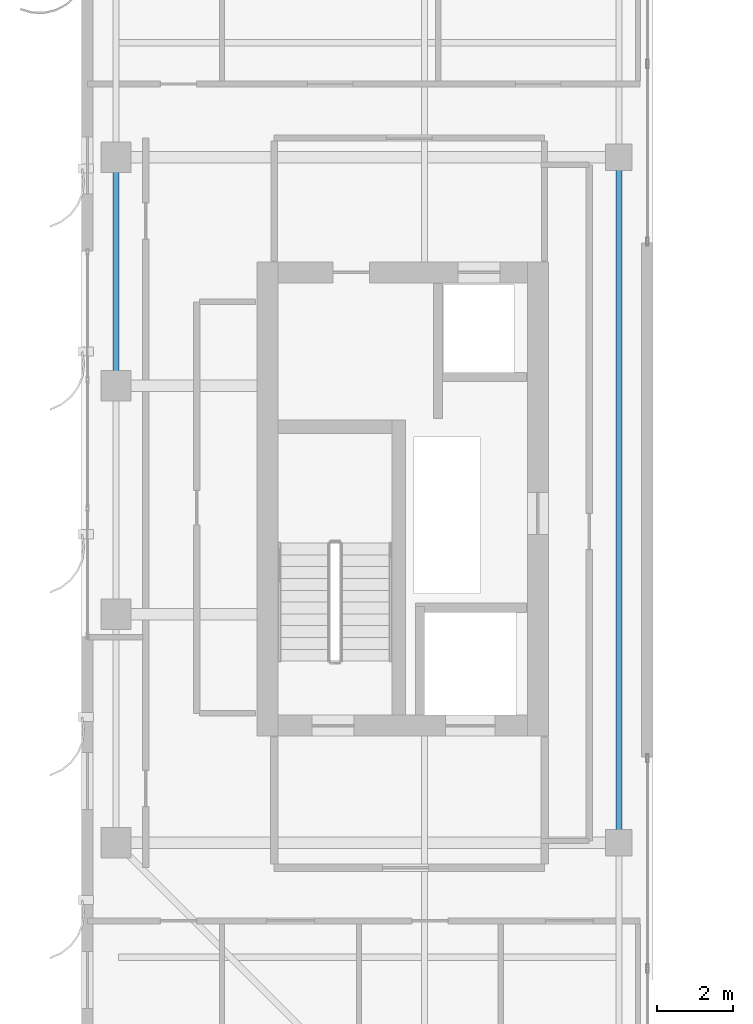
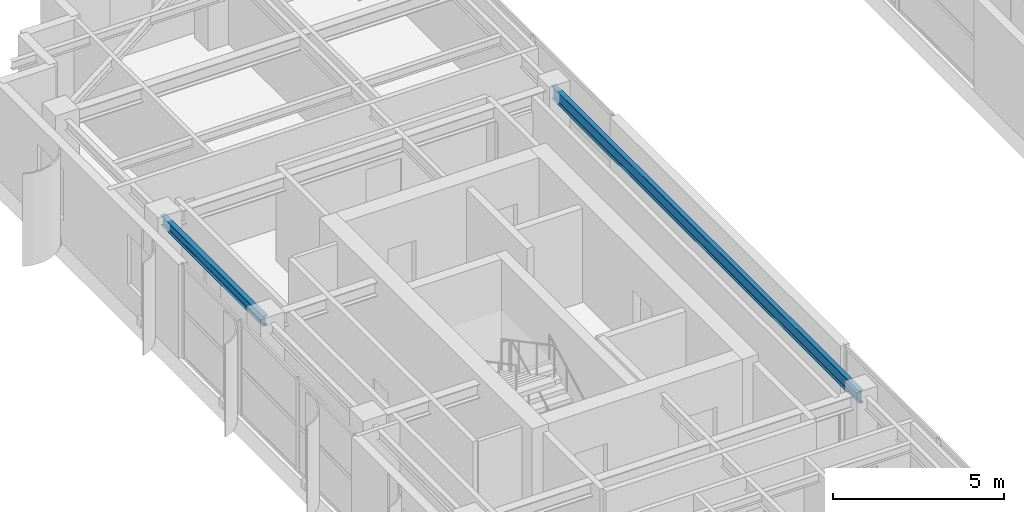
# One storey, part 7 of 24: 2 beams.
"""IFC4 building model written with IfcOpenShell, lengths in metres."""

from ifc_helpers import new_model, si_unit, direction, frame, origin, origin_2d, place, context, subcontext, project, spatial, i_section, extrude, source, transform, mapped, material, material_profile, profile_set, type_object, element, save


model = new_model("IFC4")

# Units and contexts
model_context = context("Model", 3, precision=1e-05, world=origin(), true_north=direction((0.0, 1.0)))
body_context = subcontext(model_context, "Body", "Model", "MODEL_VIEW")
ifc_project = project(units=[si_unit("LENGTHUNIT", "METRE"), si_unit("AREAUNIT", "SQUARE_METRE"), si_unit("VOLUMEUNIT", "CUBIC_METRE"), si_unit("PLANEANGLEUNIT", "RADIAN"), si_unit("MASSUNIT", "GRAM", prefix="KILO")], contexts=[model_context])

# Site, building, storey
site_placement = place(None, origin())
site = spatial("IfcSite", under=ifc_project, at=site_placement, CompositionType="ELEMENT")
building_placement = place(site_placement, origin())
building = spatial("IfcBuilding", under=site, at=building_placement, Name="Khoralis Quay Care Tower", CompositionType="ELEMENT")
storey_placement = place(building_placement, frame((0.0, 0.0, 227.699951171875)))
storey = spatial("IfcBuildingStorey", under=building, at=storey_placement, Name="L59", CompositionType="ELEMENT", Elevation=227.699951171875)

# Beams
ifc_material = material(Name="Steel S355", Category="steel")
ifc_material_profile_1 = material_profile(ifc_material, i_section(OverallWidth=0.169921875, OverallDepth=0.360107421875, WebThickness=0.008056640625, FlangeThickness=0.0126953125, FilletRadius=0.01806640625, at=origin_2d()), Name="Steel S355")
ifc_profile_set_1 = profile_set([ifc_material_profile_1], Name="Steel S355")
beam_type_1 = type_object("IfcBeamType", Name="BM-IPE360", PredefinedType="SPANDREL", material=ifc_profile_set_1)
shared_shape_1 = source(origin(), body_context, "Body", "SweptSolid", [
    extrude(i_section(OverallWidth=0.169921875, OverallDepth=0.360107421875, WebThickness=0.008056640625, FlangeThickness=0.0126953125, FilletRadius=0.01806640625, at=origin_2d()), origin(), (0.0, 0.0, 1.0), 6.0),
])
beam_1_placement = place(storey_placement, frame((3.89990234375, 24.0, 3.179931640625), z_axis=(0.0, 1.0, 0.0), x_axis=(-1.0, 0.0, 0.0)))
element("IfcBeam", 1, at=beam_1_placement, inside=storey, type_object=beam_type_1, Name="BM-TSP-L59-07", PredefinedType="SPANDREL", context=body_context, shape_type="MappedRepresentation", body=[
    mapped(shared_shape_1, transform((0.0, 0.0, 0.0), scale=1.0)),
])
ifc_material_profile_2 = material_profile(ifc_material, i_section(OverallWidth=0.154052734375, OverallDepth=0.458984375, WebThickness=0.009033203125, FlangeThickness=0.015380859375, FilletRadius=0.014892578125, at=origin_2d()), Name="Steel S355")
ifc_profile_set_2 = profile_set([ifc_material_profile_2], Name="Steel S355")
beam_type_2 = type_object("IfcBeamType", Name="BM-W460X68", PredefinedType="BEAM", material=ifc_profile_set_2)
shared_shape_2 = source(origin(), body_context, "Body", "SweptSolid", [
    extrude(i_section(OverallWidth=0.154052734375, OverallDepth=0.458984375, WebThickness=0.009033203125, FlangeThickness=0.015380859375, FilletRadius=0.014892578125, at=origin_2d()), origin(), (0.0, 0.0, 1.0), 18.0),
])
beam_2_placement = place(storey_placement, frame((17.10009765625, 12.0, 3.130615234375), z_axis=(0.0, 1.0, 0.0), x_axis=(-1.0, 0.0, 0.0)))
element("IfcBeam", 2, at=beam_2_placement, inside=storey, type_object=beam_type_2, Name="BM-TGSW-L59", PredefinedType="BEAM", context=body_context, shape_type="MappedRepresentation", body=[
    mapped(shared_shape_2, transform((0.0, 0.0, 0.0), scale=1.0)),
])

save(model, "model.ifc")
